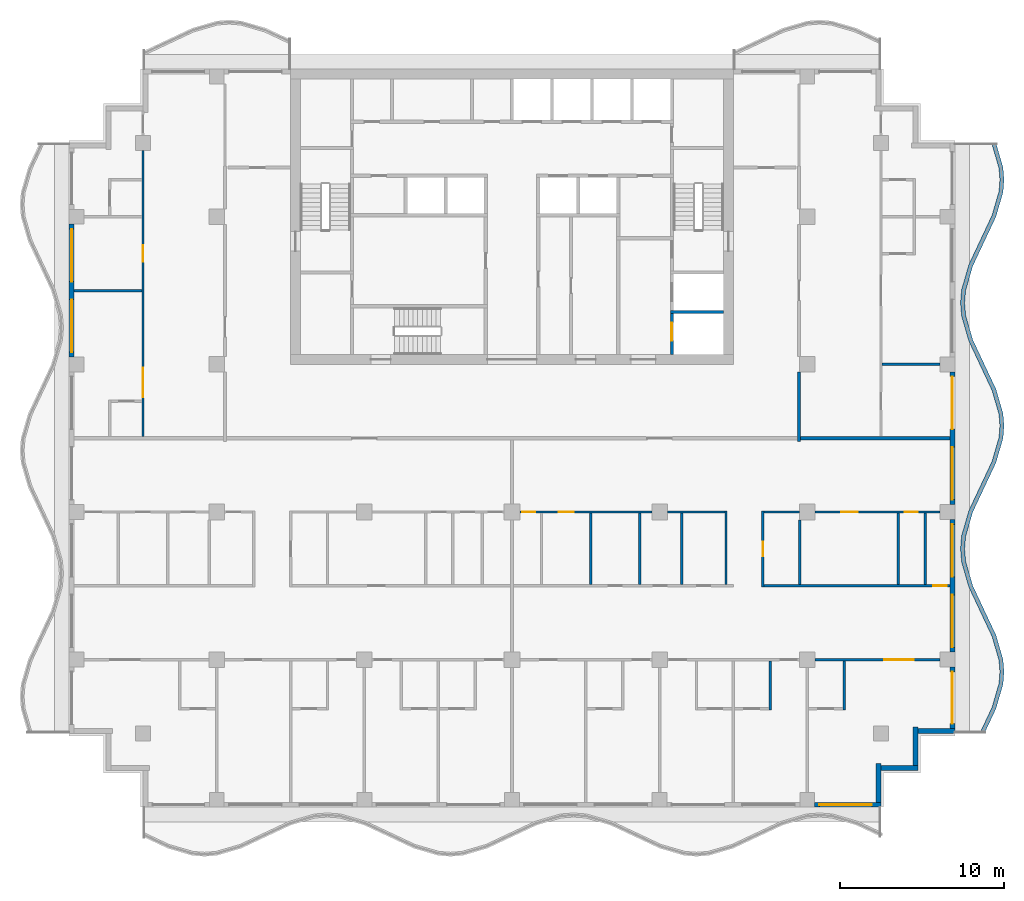
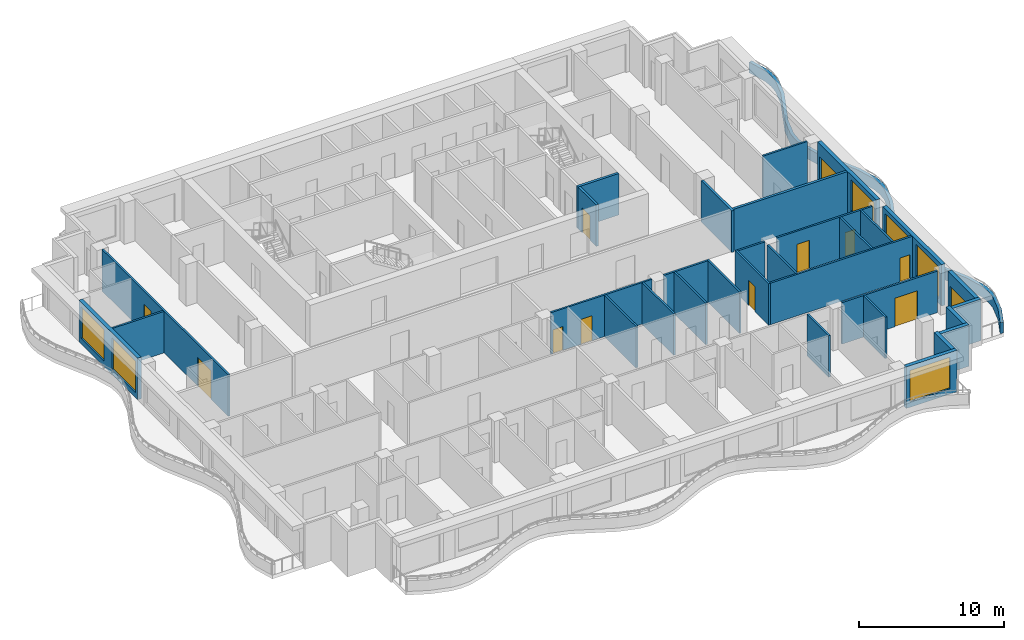
# One storey, part 4 of 11: 33 walls, 12 doors, 6 windows, 18 openings.
"""IFC4 building model written with IfcOpenShell, lengths in metres."""

from ifc_helpers import new_model, si_unit, direction, frame, frame_2d, origin, place, context, subcontext, project, spatial, polyline, rectangle, outline, extrude, material, layer, layer_set, type_object, element, fill, save


model = new_model("IFC4")

# Units and contexts
model_context = context("Model", 3, precision=1e-05, world=origin(), true_north=direction((0.0, 1.0)))
body_context = subcontext(model_context, "Body", "Model", "MODEL_VIEW")
ifc_project = project(units=[si_unit("LENGTHUNIT", "METRE"), si_unit("AREAUNIT", "SQUARE_METRE"), si_unit("VOLUMEUNIT", "CUBIC_METRE"), si_unit("PLANEANGLEUNIT", "RADIAN"), si_unit("MASSUNIT", "GRAM", prefix="KILO")], contexts=[model_context])

# Site, building, storey
site_placement = place(None, origin())
site = spatial("IfcSite", under=ifc_project, at=site_placement, CompositionType="ELEMENT")
building_placement = place(site_placement, origin())
building = spatial("IfcBuilding", under=site, at=building_placement, Name="Orbiselva Terraces", CompositionType="ELEMENT")
storey_placement = place(building_placement, frame((0.0, 0.0, 273.0)))
storey = spatial("IfcBuildingStorey", under=building, at=storey_placement, Name="L69", CompositionType="ELEMENT", Elevation=273.0)

# Wall, opening, door
ifc_material_1 = material(Name="Concrete C60/75", Category="concrete")
ifc_layer_1 = layer(ifc_material_1, 0.2)
ifc_layer_set_1 = layer_set([ifc_layer_1], Name="Concrete C60/75")
wall_type_1 = type_object("IfcWallType", Name="CORE-WALL-SHEAR-200", PredefinedType="SHEAR", material=ifc_layer_set_1)
wall_1_placement = place(storey_placement, frame((9.75, 5.1, 0.0), z_axis=(0.0, 0.0, 1.0), x_axis=(0.0, 1.0, 0.0)))
wall_1 = element("IfcWall", 1, at=wall_1_placement, inside=storey, type_object=wall_type_1, Name="L69 core wall 35", PredefinedType="SHEAR", context=body_context, shape_type="SweptSolid", body=[
    extrude(rectangle(XDim=2.5, YDim=0.2, at=frame_2d((1.25, 0.0))), origin(), (0.0, 0.0, 1.0), 3.5),
])
opening_1_placement = place(wall_1_placement, frame((0.85, 0.0, 0.0)))
opening_1 = element("IfcOpeningElement", 2, at=opening_1_placement, cuts=wall_1, Name="Opening LD-FF1", PredefinedType="OPENING", context=body_context, shape_type="SweptSolid", body=[
    extrude(rectangle(XDim=1.1, YDim=2.1, at=frame_2d((0.55, 1.05))), frame((0.0, 0.11, 0.0), z_axis=(0.0, -1.0, 0.0), x_axis=(1.0, 0.0, 0.0)), (0.0, 0.0, 1.0), 0.22),
])
ifc_material_2 = material(Name="Stainless steel landing door", Category="steel")
door_type_1 = type_object("IfcDoorType", Name="LANDING DOOR 1100", OperationType="SLIDING_TO_LEFT", PredefinedType="DOOR", material=ifc_material_2)
door_1_placement = place(opening_1_placement, origin())
door_1 = element("IfcDoor", 3, at=door_1_placement, inside=storey, type_object=door_type_1, Name="L69 landing door FF1", OperationType="SLIDING_TO_RIGHT", OverallHeight=2.1, OverallWidth=1.1, PredefinedType="DOOR", context=body_context, shape_type="SweptSolid", body=[
    extrude(rectangle(XDim=1.1, YDim=2.1, at=frame_2d((0.55, 1.05))), frame((0.0, 0.025, 0.0), z_axis=(0.0, -1.0, 0.0), x_axis=(1.0, 0.0, 0.0)), (0.0, 0.0, 1.0), 0.05),
])
fill(opening_1, door_1)

# Walls
wall_2_placement = place(storey_placement, frame((9.65, 7.7, 0.0), z_axis=(0.0, 0.0, 1.0), x_axis=(1.0, 0.0, 0.0)))
element("IfcWall", 4, at=wall_2_placement, inside=storey, type_object=wall_type_1, Name="L69 core wall 36", PredefinedType="SHEAR", context=body_context, shape_type="SweptSolid", body=[
    extrude(rectangle(XDim=3.25, YDim=0.2, at=frame_2d((1.625, 0.0))), origin(), (0.0, 0.0, 1.0), 3.5),
])
ifc_material_3 = material(Name="Concrete C40/50", Category="concrete")
ifc_layer_2 = layer(ifc_material_3, 0.25)
ifc_layer_set_2 = layer_set([ifc_layer_2], Name="Concrete C40/50")
wall_type_2 = type_object("IfcWallType", Name="ENV-PLANTER-250x900", PredefinedType="USERDEFINED", material=ifc_layer_set_2)
wall_3_placement = place(storey_placement, origin())
element("IfcWall", 5, at=wall_3_placement, inside=storey, type_object=wall_type_2, Name="Balcony planter L69 E", ObjectType="PLANTER", PredefinedType="USERDEFINED", context=body_context, shape_type="SweptSolid", body=[
    extrude(outline(polyline([(28.8, -18.0), (29.505342, -16.5), (29.941268, -15.0), (30.0, -14.25), (29.941268, -13.5), (29.505342, -12.0), (28.8, -10.5), (28.094658, -9.0), (27.658732, -7.5), (27.6, -6.75), (27.658732, -6.0), (28.094658, -4.5), (28.8, -3.0), (29.505342, -1.5), (29.941268, 0.0), (30.0, 0.75), (29.941268, 1.5), (29.505342, 3.0), (28.8, 4.5), (28.094658, 6.0), (27.658732, 7.5), (27.6, 8.25), (27.658732, 9.0), (28.094658, 10.5), (28.8, 12.0), (29.505342, 13.5), (29.941268, 15.0), (30.0, 15.75), (29.941268, 16.5), (29.505342, 18.0), (29.265274, 17.930232), (29.694035, 16.454886), (29.749235, 15.75), (29.694035, 15.045114), (29.270753, 13.588618), (28.573764, 12.106383), (27.860069, 10.588618), (27.411499, 9.045114), (27.349235, 8.25), (27.411499, 7.454886), (27.860069, 5.911382), (28.573764, 4.393617), (29.270753, 2.911382), (29.694035, 1.454886), (29.749235, 0.75), (29.694035, 0.045114), (29.270753, -1.411382), (28.573764, -2.893617), (27.860069, -4.411382), (27.411499, -5.954886), (27.349235, -6.75), (27.411499, -7.545114), (27.860069, -9.088618), (28.573764, -10.606383), (29.270753, -12.088618), (29.694035, -13.545114), (29.749235, -14.25), (29.694035, -14.954886), (29.270753, -16.411382), (28.573764, -17.893617), (28.8, -18.0)])), origin(), (0.0, 0.0, 1.0), 0.9),
])

# Wall, opening, window
ifc_material_4 = material(Name="Terracotta cladding on masonry backing", Category="masonry")
ifc_layer_3 = layer(ifc_material_4, 0.3)
ifc_layer_set_3 = layer_set([ifc_layer_3], Name="Terracotta cladding on masonry backing")
wall_type_3 = type_object("IfcWallType", Name="ENV-WALL-TERRACOTTA-300", PredefinedType="SOLIDWALL", material=ifc_layer_set_3)
wall_4_placement = place(storey_placement, frame((22.5, -22.35, 0.0), z_axis=(0.0, 0.0, 1.0), x_axis=(-1.0, 0.0, 0.0)))
wall_4 = element("IfcWall", 6, at=wall_4_placement, inside=storey, type_object=wall_type_3, Name="Facade wall L69 S", PredefinedType="SOLIDWALL", context=body_context, shape_type="SweptSolid", body=[
    extrude(rectangle(XDim=4.05, YDim=0.3, at=frame_2d((2.025, 0.0))), origin(), (0.0, 0.0, 1.0), 3.5),
])
opening_2_placement = place(wall_4_placement, frame((0.55, 0.0, 0.45)))
opening_2 = element("IfcOpeningElement", 7, at=opening_2_placement, cuts=wall_4, Name="Opening WN17", PredefinedType="OPENING", context=body_context, shape_type="SweptSolid", body=[
    extrude(rectangle(XDim=3.2, YDim=2.65, at=frame_2d((1.6, 1.325))), frame((0.0, 0.16, 0.0), z_axis=(0.0, -1.0, 0.0), x_axis=(1.0, 0.0, 0.0)), (0.0, 0.0, 1.0), 0.32),
])
ifc_material_5 = material(Name="Clear low-e glazing in aluminium frame", Category="aluminium")
window_type = type_object("IfcWindowType", Name="WINDOW 3200 X 2650 S450", PartitioningType="TRIPLE_PANEL_VERTICAL", PredefinedType="WINDOW", material=ifc_material_5)
window_1_placement = place(opening_2_placement, origin())
window_1 = element("IfcWindow", 8, at=window_1_placement, inside=storey, type_object=window_type, Name="Window L69 S", OverallHeight=2.65, OverallWidth=3.2, PartitioningType="SINGLE_PANEL", PredefinedType="WINDOW", context=body_context, shape_type="SweptSolid", body=[
    extrude(rectangle(XDim=3.2, YDim=2.65, at=frame_2d((1.6, 1.325))), frame((0.0, 0.03, 0.0), z_axis=(0.0, -1.0, 0.0), x_axis=(1.0, 0.0, 0.0)), (0.0, 0.0, 1.0), 0.06),
])
fill(opening_2, window_1)

# Walls
wall_5_placement = place(storey_placement, frame((22.35, -19.85, 0.0), z_axis=(0.0, 0.0, 1.0), x_axis=(0.0, -1.0, 0.0)))
element("IfcWall", 9, at=wall_5_placement, inside=storey, type_object=wall_type_3, Name="Facade wall L69 STEP", PredefinedType="SOLIDWALL", context=body_context, shape_type="SweptSolid", body=[
    extrude(rectangle(XDim=2.35, YDim=0.3, at=frame_2d((1.175, 0.0))), origin(), (0.0, 0.0, 1.0), 3.5),
])
wall_6_placement = place(storey_placement, frame((24.75, -20.1, 0.0), z_axis=(0.0, 0.0, 1.0), x_axis=(-1.0, 0.0, 0.0)))
element("IfcWall", 10, at=wall_6_placement, inside=storey, type_object=wall_type_3, Name="Facade wall L69 STEP", PredefinedType="SOLIDWALL", context=body_context, shape_type="SweptSolid", body=[
    extrude(rectangle(XDim=2.25, YDim=0.3, at=frame_2d((1.125, 0.0))), origin(), (0.0, 0.0, 1.0), 3.5),
])
wall_7_placement = place(storey_placement, frame((24.6, -17.6, 0.0), z_axis=(0.0, 0.0, 1.0), x_axis=(0.0, -1.0, 0.0)))
element("IfcWall", 11, at=wall_7_placement, inside=storey, type_object=wall_type_3, Name="Facade wall L69 STEP", PredefinedType="SOLIDWALL", context=body_context, shape_type="SweptSolid", body=[
    extrude(rectangle(XDim=2.35, YDim=0.3, at=frame_2d((1.175, 0.0))), origin(), (0.0, 0.0, 1.0), 3.5),
])
wall_8_placement = place(storey_placement, frame((27.0, -17.85, 0.0), z_axis=(0.0, 0.0, 1.0), x_axis=(-1.0, 0.0, 0.0)))
element("IfcWall", 12, at=wall_8_placement, inside=storey, type_object=wall_type_3, Name="Facade wall L69 STEP", PredefinedType="SOLIDWALL", context=body_context, shape_type="SweptSolid", body=[
    extrude(rectangle(XDim=2.25, YDim=0.3, at=frame_2d((1.125, 0.0))), origin(), (0.0, 0.0, 1.0), 3.5),
])

# Wall, opening, door
wall_9_placement = place(storey_placement, frame((26.85, -13.95, 0.0), z_axis=(0.0, 0.0, 1.0), x_axis=(0.0, -1.0, 0.0)))
wall_9 = element("IfcWall", 13, at=wall_9_placement, inside=storey, type_object=wall_type_3, Name="Facade wall L69 E", PredefinedType="SOLIDWALL", context=body_context, shape_type="SweptSolid", body=[
    extrude(rectangle(XDim=3.75, YDim=0.3, at=frame_2d((1.875, 0.0))), origin(), (0.0, 0.0, 1.0), 3.5),
])
opening_3_placement = place(wall_9_placement, frame((0.3, 0.0, 0.0)))
opening_3 = element("IfcOpeningElement", 14, at=opening_3_placement, cuts=wall_9, Name="Opening Z5-D-E04", PredefinedType="OPENING", context=body_context, shape_type="SweptSolid", body=[
    extrude(rectangle(XDim=3.15, YDim=2.4, at=frame_2d((1.575, 1.2))), frame((0.0, 0.16, 0.0), z_axis=(0.0, -1.0, 0.0), x_axis=(1.0, 0.0, 0.0)), (0.0, 0.0, 1.0), 0.32),
])
door_type_2 = type_object("IfcDoorType", Name="BALCONY DOOR 3150 X 2400", OperationType="DOUBLE_DOOR_SLIDING", PredefinedType="DOOR", material=ifc_material_5)
door_2_placement = place(opening_3_placement, origin())
door_2 = element("IfcDoor", 15, at=door_2_placement, inside=storey, type_object=door_type_2, Name="Z5-D-E04", OperationType="SINGLE_SWING_LEFT", OverallHeight=2.4, OverallWidth=3.15, PredefinedType="DOOR", context=body_context, shape_type="SweptSolid", body=[
    extrude(rectangle(XDim=3.15, YDim=2.4, at=frame_2d((1.575, 1.2))), frame((0.0, 0.025, 0.0), z_axis=(0.0, -1.0, 0.0), x_axis=(1.0, 0.0, 0.0)), (0.0, 0.0, 1.0), 0.05),
])
fill(opening_3, door_2)

# Wall, openings, windows
wall_10_placement = place(storey_placement, frame((26.85, -4.95, 0.0), z_axis=(0.0, 0.0, 1.0), x_axis=(0.0, -1.0, 0.0)))
wall_10 = element("IfcWall", 16, at=wall_10_placement, inside=storey, type_object=wall_type_3, Name="Facade wall L69 E", PredefinedType="SOLIDWALL", context=body_context, shape_type="SweptSolid", body=[
    extrude(rectangle(XDim=8.1, YDim=0.3, at=frame_2d((4.05, 0.0))), origin(), (0.0, 0.0, 1.0), 3.5),
])
opening_4_placement = place(wall_10_placement, frame((4.6, 0.0, 0.45)))
opening_4 = element("IfcOpeningElement", 17, at=opening_4_placement, cuts=wall_10, Name="Opening WN17", PredefinedType="OPENING", context=body_context, shape_type="SweptSolid", body=[
    extrude(rectangle(XDim=3.2, YDim=2.65, at=frame_2d((1.6, 1.325))), frame((0.0, 0.16, 0.0), z_axis=(0.0, -1.0, 0.0), x_axis=(1.0, 0.0, 0.0)), (0.0, 0.0, 1.0), 0.32),
])
opening_5_placement = place(wall_10_placement, frame((0.3, 0.0, 0.45)))
opening_5 = element("IfcOpeningElement", 18, at=opening_5_placement, cuts=wall_10, Name="Opening WN17", PredefinedType="OPENING", context=body_context, shape_type="SweptSolid", body=[
    extrude(rectangle(XDim=3.2, YDim=2.65, at=frame_2d((1.6, 1.325))), frame((0.0, 0.16, 0.0), z_axis=(0.0, -1.0, 0.0), x_axis=(1.0, 0.0, 0.0)), (0.0, 0.0, 1.0), 0.32),
])
window_2_placement = place(opening_4_placement, origin())
window_2 = element("IfcWindow", 19, at=window_2_placement, inside=storey, type_object=window_type, Name="Window L69 E", OverallHeight=2.65, OverallWidth=3.2, PartitioningType="SINGLE_PANEL", PredefinedType="WINDOW", context=body_context, shape_type="SweptSolid", body=[
    extrude(rectangle(XDim=3.2, YDim=2.65, at=frame_2d((1.6, 1.325))), frame((0.0, 0.03, 0.0), z_axis=(0.0, -1.0, 0.0), x_axis=(1.0, 0.0, 0.0)), (0.0, 0.0, 1.0), 0.06),
])
fill(opening_4, window_2)
window_3_placement = place(opening_5_placement, origin())
window_3 = element("IfcWindow", 20, at=window_3_placement, inside=storey, type_object=window_type, Name="Window L69 E", OverallHeight=2.65, OverallWidth=3.2, PartitioningType="SINGLE_PANEL", PredefinedType="WINDOW", context=body_context, shape_type="SweptSolid", body=[
    extrude(rectangle(XDim=3.2, YDim=2.65, at=frame_2d((1.6, 1.325))), frame((0.0, 0.03, 0.0), z_axis=(0.0, -1.0, 0.0), x_axis=(1.0, 0.0, 0.0)), (0.0, 0.0, 1.0), 0.06),
])
fill(opening_5, window_3)

# Wall, openings, door, window
wall_11_placement = place(storey_placement, frame((26.85, 4.05, 0.0), z_axis=(0.0, 0.0, 1.0), x_axis=(0.0, -1.0, 0.0)))
wall_11 = element("IfcWall", 21, at=wall_11_placement, inside=storey, type_object=wall_type_3, Name="Facade wall L69 E", PredefinedType="SOLIDWALL", context=body_context, shape_type="SweptSolid", body=[
    extrude(rectangle(XDim=8.1, YDim=0.3, at=frame_2d((4.05, 0.0))), origin(), (0.0, 0.0, 1.0), 3.5),
])
opening_6_placement = place(wall_11_placement, frame((4.6, 0.0, 0.45)))
opening_6 = element("IfcOpeningElement", 22, at=opening_6_placement, cuts=wall_11, Name="Opening WN17", PredefinedType="OPENING", context=body_context, shape_type="SweptSolid", body=[
    extrude(rectangle(XDim=3.2, YDim=2.65, at=frame_2d((1.6, 1.325))), frame((0.0, 0.16, 0.0), z_axis=(0.0, -1.0, 0.0), x_axis=(1.0, 0.0, 0.0)), (0.0, 0.0, 1.0), 0.32),
])
opening_7_placement = place(wall_11_placement, frame((0.3, 0.0, 0.0)))
opening_7 = element("IfcOpeningElement", 23, at=opening_7_placement, cuts=wall_11, Name="Opening Z5-D-E05", PredefinedType="OPENING", context=body_context, shape_type="SweptSolid", body=[
    extrude(rectangle(XDim=3.2, YDim=2.4, at=frame_2d((1.6, 1.2))), frame((0.0, 0.16, 0.0), z_axis=(0.0, -1.0, 0.0), x_axis=(1.0, 0.0, 0.0)), (0.0, 0.0, 1.0), 0.32),
])
door_type_3 = type_object("IfcDoorType", Name="BALCONY DOOR 3200 X 2400", OperationType="DOUBLE_DOOR_SLIDING", PredefinedType="DOOR", material=ifc_material_5)
door_3_placement = place(opening_7_placement, origin())
door_3 = element("IfcDoor", 24, at=door_3_placement, inside=storey, type_object=door_type_3, Name="Z5-D-E05", OperationType="SINGLE_SWING_LEFT", OverallHeight=2.4, OverallWidth=3.2, PredefinedType="DOOR", context=body_context, shape_type="SweptSolid", body=[
    extrude(rectangle(XDim=3.2, YDim=2.4, at=frame_2d((1.6, 1.2))), frame((0.0, 0.025, 0.0), z_axis=(0.0, -1.0, 0.0), x_axis=(1.0, 0.0, 0.0)), (0.0, 0.0, 1.0), 0.05),
])
fill(opening_7, door_3)
window_4_placement = place(opening_6_placement, origin())
window_4 = element("IfcWindow", 25, at=window_4_placement, inside=storey, type_object=window_type, Name="Window L69 E", OverallHeight=2.65, OverallWidth=3.2, PartitioningType="SINGLE_PANEL", PredefinedType="WINDOW", context=body_context, shape_type="SweptSolid", body=[
    extrude(rectangle(XDim=3.2, YDim=2.65, at=frame_2d((1.6, 1.325))), frame((0.0, 0.03, 0.0), z_axis=(0.0, -1.0, 0.0), x_axis=(1.0, 0.0, 0.0)), (0.0, 0.0, 1.0), 0.06),
])
fill(opening_6, window_4)

# Wall, openings, windows
wall_12_placement = place(storey_placement, frame((-26.85, 4.95, 0.0), z_axis=(0.0, 0.0, 1.0), x_axis=(0.0, 1.0, 0.0)))
wall_12 = element("IfcWall", 26, at=wall_12_placement, inside=storey, type_object=wall_type_3, Name="Facade wall L69 W", PredefinedType="SOLIDWALL", context=body_context, shape_type="SweptSolid", body=[
    extrude(rectangle(XDim=8.1, YDim=0.3, at=frame_2d((4.05, 0.0))), origin(), (0.0, 0.0, 1.0), 3.5),
])
opening_8_placement = place(wall_12_placement, frame((4.6, 0.0, 0.45)))
opening_8 = element("IfcOpeningElement", 27, at=opening_8_placement, cuts=wall_12, Name="Opening WN17", PredefinedType="OPENING", context=body_context, shape_type="SweptSolid", body=[
    extrude(rectangle(XDim=3.2, YDim=2.65, at=frame_2d((1.6, 1.325))), frame((0.0, 0.16, 0.0), z_axis=(0.0, -1.0, 0.0), x_axis=(1.0, 0.0, 0.0)), (0.0, 0.0, 1.0), 0.32),
])
opening_9_placement = place(wall_12_placement, frame((0.3, 0.0, 0.45)))
opening_9 = element("IfcOpeningElement", 28, at=opening_9_placement, cuts=wall_12, Name="Opening WN17", PredefinedType="OPENING", context=body_context, shape_type="SweptSolid", body=[
    extrude(rectangle(XDim=3.2, YDim=2.65, at=frame_2d((1.6, 1.325))), frame((0.0, 0.16, 0.0), z_axis=(0.0, -1.0, 0.0), x_axis=(1.0, 0.0, 0.0)), (0.0, 0.0, 1.0), 0.32),
])
window_5_placement = place(opening_8_placement, origin())
window_5 = element("IfcWindow", 29, at=window_5_placement, inside=storey, type_object=window_type, Name="Window L69 W", OverallHeight=2.65, OverallWidth=3.2, PartitioningType="SINGLE_PANEL", PredefinedType="WINDOW", context=body_context, shape_type="SweptSolid", body=[
    extrude(rectangle(XDim=3.2, YDim=2.65, at=frame_2d((1.6, 1.325))), frame((0.0, 0.03, 0.0), z_axis=(0.0, -1.0, 0.0), x_axis=(1.0, 0.0, 0.0)), (0.0, 0.0, 1.0), 0.06),
])
fill(opening_8, window_5)
window_6_placement = place(opening_9_placement, origin())
window_6 = element("IfcWindow", 30, at=window_6_placement, inside=storey, type_object=window_type, Name="Window L69 W", OverallHeight=2.65, OverallWidth=3.2, PartitioningType="SINGLE_PANEL", PredefinedType="WINDOW", context=body_context, shape_type="SweptSolid", body=[
    extrude(rectangle(XDim=3.2, YDim=2.65, at=frame_2d((1.6, 1.325))), frame((0.0, 0.03, 0.0), z_axis=(0.0, -1.0, 0.0), x_axis=(1.0, 0.0, 0.0)), (0.0, 0.0, 1.0), 0.06),
])
fill(opening_9, window_6)

# Wall
ifc_material_6 = material(Name="Plasterboard on steel stud partition", Category="steel")
ifc_layer_4 = layer(ifc_material_6, 0.2)
ifc_layer_set_4 = layer_set([ifc_layer_4], Name="Plasterboard on steel stud partition")
wall_type_4 = type_object("IfcWallType", Name="UNIT-ENTRANCE-WALL-200", PredefinedType="PARTITIONING", material=ifc_layer_set_4)
wall_13_placement = place(storey_placement, frame((17.5, -0.2, 0.0), z_axis=(0.0, 0.0, 1.0), x_axis=(0.0, 1.0, 0.0)))
element("IfcWall", 31, at=wall_13_placement, inside=storey, type_object=wall_type_4, Name="PARTITION L69-081", PredefinedType="PARTITIONING", context=body_context, shape_type="SweptSolid", body=[
    extrude(rectangle(XDim=4.225, YDim=0.2, at=frame_2d((2.1125, 0.0))), origin(), (0.0, 0.0, 1.0), 3.5),
])

# Wall, opening, door
ifc_layer_5 = layer(ifc_material_6, 0.15)
ifc_layer_set_5 = layer_set([ifc_layer_5], Name="Plasterboard on steel stud partition")
wall_type_5 = type_object("IfcWallType", Name="UNIT-PARTITION-150", PredefinedType="PARTITIONING", material=ifc_layer_set_5)
wall_14_placement = place(storey_placement, frame((26.1, -13.5, 0.0), z_axis=(0.0, 0.0, 1.0), x_axis=(-1.0, 0.0, 0.0)))
wall_14 = element("IfcWall", 32, at=wall_14_placement, inside=storey, type_object=wall_type_5, Name="PARTITION L69-014", PredefinedType="PARTITIONING", context=body_context, shape_type="SweptSolid", body=[
    extrude(rectangle(XDim=7.625, YDim=0.15, at=frame_2d((3.8125, 0.0))), origin(), (0.0, 0.0, 1.0), 3.5),
])
opening_10_placement = place(wall_14_placement, frame((1.6, 0.0, 0.0)))
opening_10 = element("IfcOpeningElement", 33, at=opening_10_placement, cuts=wall_14, Name="Opening Z5-D-44", PredefinedType="OPENING", context=body_context, shape_type="SweptSolid", body=[
    extrude(rectangle(XDim=1.8, YDim=2.4, at=frame_2d((0.9, 1.2))), frame((0.0, 0.085, 0.0), z_axis=(0.0, -1.0, 0.0), x_axis=(1.0, 0.0, 0.0)), (0.0, 0.0, 1.0), 0.17),
])
ifc_material_7 = material(Name="Painted timber door leaf", Category="wood")
door_type_4 = type_object("IfcDoorType", Name="DOUBLE DOOR 1800", OperationType="NOTDEFINED", PredefinedType="DOOR", material=ifc_material_7)
door_4_placement = place(opening_10_placement, origin())
door_4 = element("IfcDoor", 34, at=door_4_placement, inside=storey, type_object=door_type_4, Name="Z5-D-44", OperationType="DOUBLE_DOOR_SINGLE_SWING", OverallHeight=2.4, OverallWidth=1.8, PredefinedType="DOOR", context=body_context, shape_type="SweptSolid", body=[
    extrude(rectangle(XDim=1.8, YDim=2.4, at=frame_2d((0.9, 1.2))), frame((0.0, 0.025, 0.0), z_axis=(0.0, -1.0, 0.0), x_axis=(1.0, 0.0, 0.0)), (0.0, 0.0, 1.0), 0.05),
])
fill(opening_10, door_4)

wall_15_placement = place(storey_placement, frame((15.375, -9.0, 0.0), z_axis=(0.0, 0.0, 1.0), x_axis=(1.0, 0.0, 0.0)))
wall_15 = element("IfcWall", 35, at=wall_15_placement, inside=storey, type_object=wall_type_5, Name="PARTITION L69-018", PredefinedType="PARTITIONING", context=body_context, shape_type="SweptSolid", body=[
    extrude(rectangle(XDim=11.325, YDim=0.15, at=frame_2d((5.6625, 0.0))), origin(), (0.0, 0.0, 1.0), 3.5),
])
opening_11_placement = place(wall_15_placement, frame((10.325, 0.0, 0.0)))
opening_11 = element("IfcOpeningElement", 36, at=opening_11_placement, cuts=wall_15, Name="Opening Z5-D-35", PredefinedType="OPENING", context=body_context, shape_type="SweptSolid", body=[
    extrude(rectangle(XDim=0.8, YDim=2.0, at=frame_2d((0.4, 1.0))), frame((0.0, 0.085, 0.0), z_axis=(0.0, -1.0, 0.0), x_axis=(1.0, 0.0, 0.0)), (0.0, 0.0, 1.0), 0.17),
])
door_type_5 = type_object("IfcDoorType", Name="STORE DOOR 800", OperationType="NOTDEFINED", PredefinedType="DOOR", material=ifc_material_7)
door_5_placement = place(opening_11_placement, origin())
door_5 = element("IfcDoor", 37, at=door_5_placement, inside=storey, type_object=door_type_5, Name="Z5-D-35", OperationType="SINGLE_SWING_RIGHT", OverallHeight=2.0, OverallWidth=0.8, PredefinedType="DOOR", context=body_context, shape_type="SweptSolid", body=[
    extrude(rectangle(XDim=0.8, YDim=2.0, at=frame_2d((0.4, 1.0))), frame((0.0, 0.025, 0.0), z_axis=(0.0, -1.0, 0.0), x_axis=(1.0, 0.0, 0.0)), (0.0, 0.0, 1.0), 0.05),
])
fill(opening_11, door_5)

# Wall, openings, doors
wall_16_placement = place(storey_placement, frame((8.525, -4.5, 0.0), z_axis=(0.0, 0.0, 1.0), x_axis=(-1.0, 0.0, 0.0)))
wall_16 = element("IfcWall", 38, at=wall_16_placement, inside=storey, type_object=wall_type_5, Name="PARTITION L69-023", PredefinedType="PARTITIONING", context=body_context, shape_type="SweptSolid", body=[
    extrude(rectangle(XDim=8.05, YDim=0.15, at=frame_2d((4.025, 0.0))), origin(), (0.0, 0.0, 1.0), 3.5),
])
opening_12_placement = place(wall_16_placement, frame((4.775, 0.0, 0.0)))
opening_12 = element("IfcOpeningElement", 39, at=opening_12_placement, cuts=wall_16, Name="Opening Z5-D-42", PredefinedType="OPENING", context=body_context, shape_type="SweptSolid", body=[
    extrude(rectangle(XDim=0.9, YDim=2.1, at=frame_2d((0.45, 1.05))), frame((0.0, 0.085, 0.0), z_axis=(0.0, -1.0, 0.0), x_axis=(1.0, 0.0, 0.0)), (0.0, 0.0, 1.0), 0.17),
])
opening_13_placement = place(wall_16_placement, frame((7.1, 0.0, 0.0)))
opening_13 = element("IfcOpeningElement", 40, at=opening_13_placement, cuts=wall_16, Name="Opening Z5-D-43", PredefinedType="OPENING", context=body_context, shape_type="SweptSolid", body=[
    extrude(rectangle(XDim=0.8, YDim=2.0, at=frame_2d((0.4, 1.0))), frame((0.0, 0.085, 0.0), z_axis=(0.0, -1.0, 0.0), x_axis=(1.0, 0.0, 0.0)), (0.0, 0.0, 1.0), 0.17),
])
door_type_6 = type_object("IfcDoorType", Name="SERVICE DOOR 900", OperationType="NOTDEFINED", PredefinedType="DOOR", material=ifc_material_7)
door_6_placement = place(opening_12_placement, origin())
door_6 = element("IfcDoor", 41, at=door_6_placement, inside=storey, type_object=door_type_6, Name="Z5-D-42", OperationType="SINGLE_SWING_RIGHT", OverallHeight=2.1, OverallWidth=0.9, PredefinedType="DOOR", context=body_context, shape_type="SweptSolid", body=[
    extrude(rectangle(XDim=0.9, YDim=2.1, at=frame_2d((0.45, 1.05))), frame((0.0, 0.025, 0.0), z_axis=(0.0, -1.0, 0.0), x_axis=(1.0, 0.0, 0.0)), (0.0, 0.0, 1.0), 0.05),
])
fill(opening_12, door_6)
door_7_placement = place(opening_13_placement, origin())
door_7 = element("IfcDoor", 42, at=door_7_placement, inside=storey, type_object=door_type_5, Name="Z5-D-43", OperationType="SINGLE_SWING_RIGHT", OverallHeight=2.0, OverallWidth=0.8, PredefinedType="DOOR", context=body_context, shape_type="SweptSolid", body=[
    extrude(rectangle(XDim=0.8, YDim=2.0, at=frame_2d((0.4, 1.0))), frame((0.0, 0.025, 0.0), z_axis=(0.0, -1.0, 0.0), x_axis=(1.0, 0.0, 0.0)), (0.0, 0.0, 1.0), 0.05),
])
fill(opening_13, door_7)

# Walls
wall_17_placement = place(storey_placement, frame((9.475, -4.5, 0.0), z_axis=(0.0, 0.0, 1.0), x_axis=(1.0, 0.0, 0.0)))
element("IfcWall", 43, at=wall_17_placement, inside=storey, type_object=wall_type_5, Name="PARTITION L69-024", PredefinedType="PARTITIONING", context=body_context, shape_type="SweptSolid", body=[
    extrude(rectangle(XDim=3.5, YDim=0.15, at=frame_2d((1.75, 0.0))), origin(), (0.0, 0.0, 1.0), 3.5),
])
wall_18_placement = place(storey_placement, frame((15.375, -4.5, 0.0), z_axis=(0.0, 0.0, 1.0), x_axis=(1.0, 0.0, 0.0)))
element("IfcWall", 44, at=wall_18_placement, inside=storey, type_object=wall_type_5, Name="PARTITION L69-025", PredefinedType="PARTITIONING", context=body_context, shape_type="SweptSolid", body=[
    extrude(rectangle(XDim=2.15, YDim=0.15, at=frame_2d((1.075, 0.0))), origin(), (0.0, 0.0, 1.0), 3.5),
])

# Wall, openings, doors
wall_19_placement = place(storey_placement, frame((26.1, -4.5, 0.0), z_axis=(0.0, 0.0, 1.0), x_axis=(-1.0, 0.0, 0.0)))
wall_19 = element("IfcWall", 45, at=wall_19_placement, inside=storey, type_object=wall_type_5, Name="PARTITION L69-026", PredefinedType="PARTITIONING", context=body_context, shape_type="SweptSolid", body=[
    extrude(rectangle(XDim=7.625, YDim=0.15, at=frame_2d((3.8125, 0.0))), origin(), (0.0, 0.0, 1.0), 3.5),
])
opening_14_placement = place(wall_19_placement, frame((1.35, 0.0, 0.0)))
opening_14 = element("IfcOpeningElement", 46, at=opening_14_placement, cuts=wall_19, Name="Opening Z5-D-36", PredefinedType="OPENING", context=body_context, shape_type="SweptSolid", body=[
    extrude(rectangle(XDim=0.8, YDim=2.0, at=frame_2d((0.4, 1.0))), frame((0.0, 0.085, 0.0), z_axis=(0.0, -1.0, 0.0), x_axis=(1.0, 0.0, 0.0)), (0.0, 0.0, 1.0), 0.17),
])
opening_15_placement = place(wall_19_placement, frame((5.025, 0.0, 0.0)))
opening_15 = element("IfcOpeningElement", 47, at=opening_15_placement, cuts=wall_19, Name="Opening Z5-D-37", PredefinedType="OPENING", context=body_context, shape_type="SweptSolid", body=[
    extrude(rectangle(XDim=1.0, YDim=2.4, at=frame_2d((0.5, 1.2))), frame((0.0, 0.085, 0.0), z_axis=(0.0, -1.0, 0.0), x_axis=(1.0, 0.0, 0.0)), (0.0, 0.0, 1.0), 0.17),
])
door_type_7 = type_object("IfcDoorType", Name="ROOM DOOR 1000", OperationType="NOTDEFINED", PredefinedType="DOOR", material=ifc_material_7)
door_8_placement = place(opening_15_placement, origin())
door_8 = element("IfcDoor", 48, at=door_8_placement, inside=storey, type_object=door_type_7, Name="Z5-D-37", OperationType="SINGLE_SWING_RIGHT", OverallHeight=2.4, OverallWidth=1.0, PredefinedType="DOOR", context=body_context, shape_type="SweptSolid", body=[
    extrude(rectangle(XDim=1.0, YDim=2.4, at=frame_2d((0.5, 1.2))), frame((0.0, 0.025, 0.0), z_axis=(0.0, -1.0, 0.0), x_axis=(1.0, 0.0, 0.0)), (0.0, 0.0, 1.0), 0.05),
])
fill(opening_15, door_8)
door_9_placement = place(opening_14_placement, origin())
door_9 = element("IfcDoor", 49, at=door_9_placement, inside=storey, type_object=door_type_5, Name="Z5-D-36", OperationType="SINGLE_SWING_LEFT", OverallHeight=2.0, OverallWidth=0.8, PredefinedType="DOOR", context=body_context, shape_type="SweptSolid", body=[
    extrude(rectangle(XDim=0.8, YDim=2.0, at=frame_2d((0.4, 1.0))), frame((0.0, 0.025, 0.0), z_axis=(0.0, -1.0, 0.0), x_axis=(1.0, 0.0, 0.0)), (0.0, 0.0, 1.0), 0.05),
])
fill(opening_14, door_9)

# Walls
wall_20_placement = place(storey_placement, frame((22.575, 4.5, 0.0), z_axis=(0.0, 0.0, 1.0), x_axis=(1.0, 0.0, 0.0)))
element("IfcWall", 50, at=wall_20_placement, inside=storey, type_object=wall_type_5, Name="PARTITION L69-031", PredefinedType="PARTITIONING", context=body_context, shape_type="SweptSolid", body=[
    extrude(rectangle(XDim=3.525, YDim=0.15, at=frame_2d((1.7625, 0.0))), origin(), (0.0, 0.0, 1.0), 3.5),
])
wall_21_placement = place(storey_placement, frame((-26.7, 9.0, 0.0), z_axis=(0.0, 0.0, 1.0), x_axis=(1.0, 0.0, 0.0)))
element("IfcWall", 51, at=wall_21_placement, inside=storey, type_object=wall_type_5, Name="PARTITION L69-032", PredefinedType="PARTITIONING", context=body_context, shape_type="SweptSolid", body=[
    extrude(rectangle(XDim=4.125, YDim=0.15, at=frame_2d((2.0625, 0.0))), origin(), (0.0, 0.0, 1.0), 3.5),
])

# Wall, openings, doors
wall_22_placement = place(storey_placement, frame((-22.5, 0.1, 0.0), z_axis=(0.0, 0.0, 1.0), x_axis=(0.0, 1.0, 0.0)))
wall_22 = element("IfcWall", 52, at=wall_22_placement, inside=storey, type_object=wall_type_5, Name="PARTITION L69-044", PredefinedType="PARTITIONING", context=body_context, shape_type="SweptSolid", body=[
    extrude(rectangle(XDim=17.45, YDim=0.15, at=frame_2d((8.725, 0.0))), origin(), (0.0, 0.0, 1.0), 3.5),
])
opening_16_placement = place(wall_22_placement, frame((2.4, 0.0, 0.0)))
opening_16 = element("IfcOpeningElement", 53, at=opening_16_placement, cuts=wall_22, Name="Opening Z5-D-04", PredefinedType="OPENING", context=body_context, shape_type="SweptSolid", body=[
    extrude(rectangle(XDim=1.8, YDim=2.4, at=frame_2d((0.9, 1.2))), frame((0.0, 0.085, 0.0), z_axis=(0.0, -1.0, 0.0), x_axis=(1.0, 0.0, 0.0)), (0.0, 0.0, 1.0), 0.17),
])
opening_17_placement = place(wall_22_placement, frame((10.65, 0.0, 0.0)))
opening_17 = element("IfcOpeningElement", 54, at=opening_17_placement, cuts=wall_22, Name="Opening Z5-D-06", PredefinedType="OPENING", context=body_context, shape_type="SweptSolid", body=[
    extrude(rectangle(XDim=1.0, YDim=2.4, at=frame_2d((0.5, 1.2))), frame((0.0, 0.085, 0.0), z_axis=(0.0, -1.0, 0.0), x_axis=(1.0, 0.0, 0.0)), (0.0, 0.0, 1.0), 0.17),
])
door_10_placement = place(opening_16_placement, origin())
door_10 = element("IfcDoor", 55, at=door_10_placement, inside=storey, type_object=door_type_4, Name="Z5-D-04", OperationType="DOUBLE_DOOR_SINGLE_SWING", OverallHeight=2.4, OverallWidth=1.8, PredefinedType="DOOR", context=body_context, shape_type="SweptSolid", body=[
    extrude(rectangle(XDim=1.8, YDim=2.4, at=frame_2d((0.9, 1.2))), frame((0.0, 0.025, 0.0), z_axis=(0.0, -1.0, 0.0), x_axis=(1.0, 0.0, 0.0)), (0.0, 0.0, 1.0), 0.05),
])
fill(opening_16, door_10)
door_11_placement = place(opening_17_placement, origin())
door_11 = element("IfcDoor", 56, at=door_11_placement, inside=storey, type_object=door_type_7, Name="Z5-D-06", OperationType="SINGLE_SWING_RIGHT", OverallHeight=2.4, OverallWidth=1.0, PredefinedType="DOOR", context=body_context, shape_type="SweptSolid", body=[
    extrude(rectangle(XDim=1.0, YDim=2.4, at=frame_2d((0.5, 1.2))), frame((0.0, 0.025, 0.0), z_axis=(0.0, -1.0, 0.0), x_axis=(1.0, 0.0, 0.0)), (0.0, 0.0, 1.0), 0.05),
])
fill(opening_17, door_11)

# Walls
for number, where, z_axis, x_axis, name in (
    (57, (4.8, -8.925, 0.0), (0.0, 0.0, 1.0), (0.0, 1.0, 0.0), "PARTITION L69-071"),
    (58, (7.8, -8.925, 0.0), (0.0, 0.0, 1.0), (0.0, 1.0, 0.0), "PARTITION L69-073"),
    (59, (10.35, -8.925, 0.0), (0.0, 0.0, 1.0), (0.0, 1.0, 0.0), "PARTITION L69-075"),
):
    element("IfcWall", number, at=place(storey_placement, frame(where, z_axis=z_axis, x_axis=x_axis)), inside=storey, type_object=wall_type_5, Name=name, PredefinedType="PARTITIONING", context=body_context, shape_type="SweptSolid", body=[
        extrude(rectangle(XDim=4.35, YDim=0.15, at=frame_2d((2.175, 0.0))), origin(), (0.0, 0.0, 1.0), 3.5),
    ])
wall_23_placement = place(storey_placement, frame((13.05, -8.925, 0.0), z_axis=(0.0, 0.0, 1.0), x_axis=(0.0, 1.0, 0.0)))
element("IfcWall", 60, at=wall_23_placement, inside=storey, type_object=wall_type_5, Name="PARTITION L69-077", PredefinedType="PARTITIONING", context=body_context, shape_type="SweptSolid", body=[
    extrude(rectangle(XDim=4.5, YDim=0.15, at=frame_2d((2.25, 0.0))), origin(), (0.0, 0.0, 1.0), 3.5),
])

# Wall, opening, door
wall_24_placement = place(storey_placement, frame((15.3, -4.425, 0.0), z_axis=(0.0, 0.0, 1.0), x_axis=(0.0, -1.0, 0.0)))
wall_24 = element("IfcWall", 61, at=wall_24_placement, inside=storey, type_object=wall_type_5, Name="PARTITION L69-079", PredefinedType="PARTITIONING", context=body_context, shape_type="SweptSolid", body=[
    extrude(rectangle(XDim=4.65, YDim=0.15, at=frame_2d((2.325, 0.0))), origin(), (0.0, 0.0, 1.0), 3.5),
])
opening_18_placement = place(wall_24_placement, frame((1.875, 0.0, 0.0)))
opening_18 = element("IfcOpeningElement", 62, at=opening_18_placement, cuts=wall_24, Name="Opening Z5-D-38", PredefinedType="OPENING", context=body_context, shape_type="SweptSolid", body=[
    extrude(rectangle(XDim=0.9, YDim=2.1, at=frame_2d((0.45, 1.05))), frame((0.0, 0.085, 0.0), z_axis=(0.0, -1.0, 0.0), x_axis=(1.0, 0.0, 0.0)), (0.0, 0.0, 1.0), 0.17),
])
door_type_8 = type_object("IfcDoorType", Name="BATH DOOR 900", OperationType="NOTDEFINED", PredefinedType="DOOR", material=ifc_material_7)
door_12_placement = place(opening_18_placement, origin())
door_12 = element("IfcDoor", 63, at=door_12_placement, inside=storey, type_object=door_type_8, Name="Z5-D-38", OperationType="SINGLE_SWING_RIGHT", OverallHeight=2.1, OverallWidth=0.9, PredefinedType="DOOR", context=body_context, shape_type="SweptSolid", body=[
    extrude(rectangle(XDim=0.9, YDim=2.1, at=frame_2d((0.45, 1.05))), frame((0.0, 0.025, 0.0), z_axis=(0.0, -1.0, 0.0), x_axis=(1.0, 0.0, 0.0)), (0.0, 0.0, 1.0), 0.05),
])
fill(opening_18, door_12)

# Walls
wall_25_placement = place(storey_placement, frame((15.75, -16.575, 0.0), z_axis=(0.0, 0.0, 1.0), x_axis=(0.0, 1.0, 0.0)))
element("IfcWall", 64, at=wall_25_placement, inside=storey, type_object=wall_type_5, Name="PARTITION L69-080", PredefinedType="PARTITIONING", context=body_context, shape_type="SweptSolid", body=[
    extrude(rectangle(XDim=3.0, YDim=0.15, at=frame_2d((1.5, 0.0))), origin(), (0.0, 0.0, 1.0), 3.5),
])
wall_26_placement = place(storey_placement, frame((17.55, -8.925, 0.0), z_axis=(0.0, 0.0, 1.0), x_axis=(0.0, 1.0, 0.0)))
element("IfcWall", 65, at=wall_26_placement, inside=storey, type_object=wall_type_5, Name="PARTITION L69-085", PredefinedType="PARTITIONING", context=body_context, shape_type="SweptSolid", body=[
    extrude(rectangle(XDim=3.95, YDim=0.15, at=frame_2d((1.975, 0.0))), origin(), (0.0, 0.0, 1.0), 3.5),
])
wall_27_placement = place(storey_placement, frame((20.25, -16.575, 0.0), z_axis=(0.0, 0.0, 1.0), x_axis=(0.0, 1.0, 0.0)))
element("IfcWall", 66, at=wall_27_placement, inside=storey, type_object=wall_type_5, Name="PARTITION L69-087", PredefinedType="PARTITIONING", context=body_context, shape_type="SweptSolid", body=[
    extrude(rectangle(XDim=3.0, YDim=0.15, at=frame_2d((1.5, 0.0))), origin(), (0.0, 0.0, 1.0), 3.5),
])
for number, where, z_axis, x_axis, name in (
    (67, (23.55, -8.925, 0.0), (0.0, 0.0, 1.0), (0.0, 1.0, 0.0), "PARTITION L69-090"),
    (68, (25.2, -8.925, 0.0), (0.0, 0.0, 1.0), (0.0, 1.0, 0.0), "PARTITION L69-092"),
):
    element("IfcWall", number, at=place(storey_placement, frame(where, z_axis=z_axis, x_axis=x_axis)), inside=storey, type_object=wall_type_5, Name=name, PredefinedType="PARTITIONING", context=body_context, shape_type="SweptSolid", body=[
        extrude(rectangle(XDim=4.35, YDim=0.15, at=frame_2d((2.175, 0.0))), origin(), (0.0, 0.0, 1.0), 3.5),
    ])
ifc_layer_6 = layer(ifc_material_6, 0.2)
ifc_layer_set_6 = layer_set([ifc_layer_6], Name="Plasterboard on steel stud partition")
wall_type_6 = type_object("IfcWallType", Name="UNIT-PARTY-WALL-200", PredefinedType="PARTITIONING", material=ifc_layer_set_6)
wall_28_placement = place(storey_placement, frame((17.6, 0.0, 0.0), z_axis=(0.0, 0.0, 1.0), x_axis=(1.0, 0.0, 0.0)))
element("IfcWall", 69, at=wall_28_placement, inside=storey, type_object=wall_type_6, Name="PARTITION L69-029", PredefinedType="PARTITIONING", context=body_context, shape_type="SweptSolid", body=[
    extrude(rectangle(XDim=9.1, YDim=0.2, at=frame_2d((4.55, 0.0))), origin(), (0.0, 0.0, 1.0), 3.5),
])

save(model, "model.ifc")
